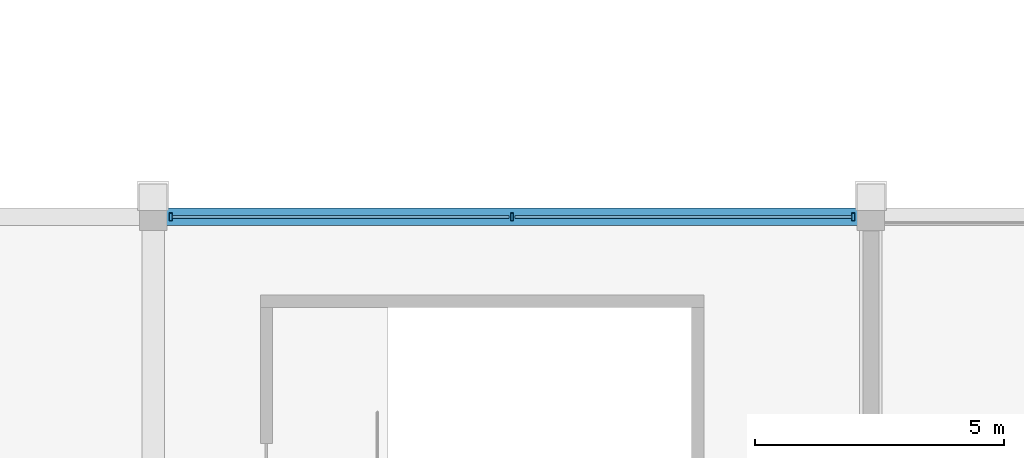
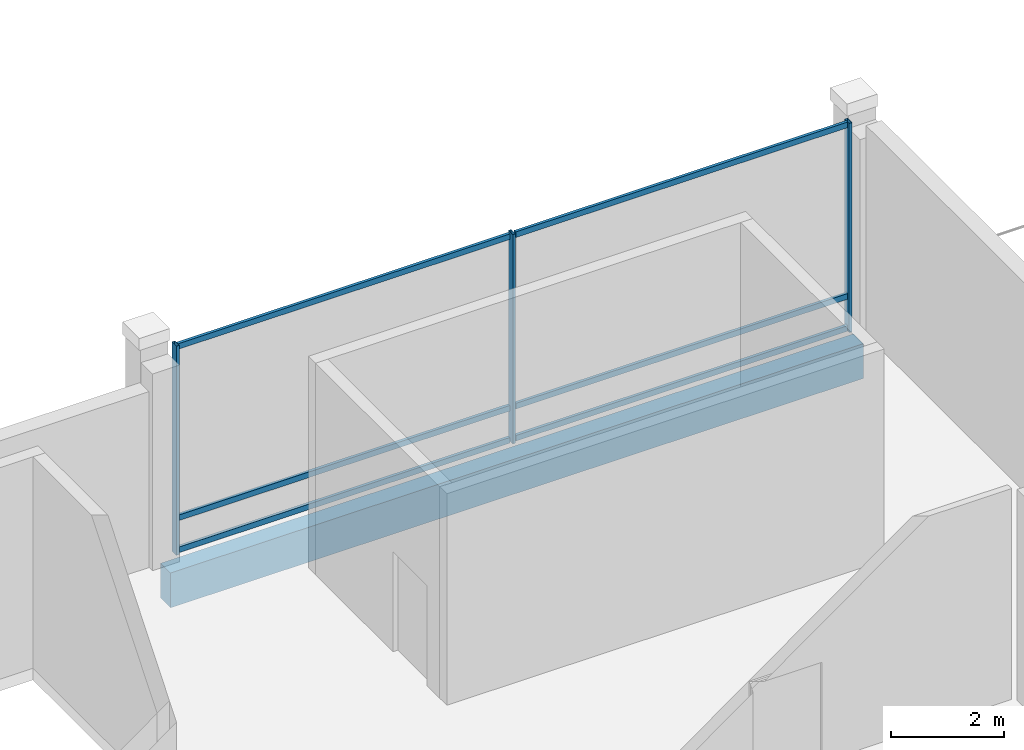
# One storey, part 21 of 116: 9 members, 1 beam, 1 element without a shape of its own.
"""IFC4 building model written with IfcOpenShell, lengths in metres."""

from ifc_helpers import new_model, si_unit, direction, frame, origin, origin_2d, place, context, subcontext, project, spatial, rectangle, hollow_rectangle, extrude, material, material_profile, profile_set, type_object, element, aggregate, save


model = new_model("IFC4")

# Units and contexts
model_context = context("Model", 3, precision=1e-05, world=origin(), true_north=direction((0.0, 1.0)))
body_context = subcontext(model_context, "Body", "Model", "MODEL_VIEW")
ifc_project = project(units=[si_unit("LENGTHUNIT", "METRE"), si_unit("AREAUNIT", "SQUARE_METRE"), si_unit("VOLUMEUNIT", "CUBIC_METRE"), si_unit("PLANEANGLEUNIT", "RADIAN"), si_unit("MASSUNIT", "GRAM", prefix="KILO")], contexts=[model_context])

# Site, building, storey
site_placement = place(None, origin())
site = spatial("IfcSite", under=ifc_project, at=site_placement, CompositionType="ELEMENT")
building_placement = place(site_placement, origin())
building = spatial("IfcBuilding", under=site, at=building_placement, Name="Cendralis Lancet Convention Centre", CompositionType="ELEMENT")
storey_placement = place(building_placement, frame((0.0, 0.0, 15.0)))
storey = spatial("IfcBuildingStorey", under=building, at=storey_placement, Name="L03", CompositionType="ELEMENT", Elevation=15.0)

# Curtain wall, members
ifc_material_1 = material(Name="Anodised bronze architectural aluminium", Category="aluminium")
curtain_wall_type = type_object("IfcCurtainWallType", Name="ARC-CW-CL02", PredefinedType="USERDEFINED", material=ifc_material_1)
curtain_wall_placement = place(storey_placement, origin())
curtain_wall = element("IfcCurtainWall", 1, at=curtain_wall_placement, inside=storey, type_object=curtain_wall_type, Name="L03 Curtain Wall CW-CL2 #178", ObjectType="CURTAIN WALL", PredefinedType="USERDEFINED")
ifc_material_profile_1 = material_profile(ifc_material_1, hollow_rectangle(XDim=0.06005859375, YDim=0.159912109375, WallThickness=0.00390625, at=origin_2d()), Name="AL-MULL 60x160x4.0")
ifc_profile_set_1 = profile_set([ifc_material_profile_1], Name="Anodised bronze architectural aluminium")
member_type_1 = type_object("IfcMemberType", Name="ARC-CW-ML01", PredefinedType="MULLION", material=ifc_profile_set_1)
member_1_placement = place(storey_placement, frame((93.955078125, 36.0, 0.0), z_axis=(0.0, 0.0, 1.0), x_axis=(1.0, 0.0, 0.0)))
member_1 = element("IfcMember", 2, at=member_1_placement, type_object=member_type_1, Name="Mullion CW2-CW-CL2-L03-178-M0", PredefinedType="MULLION", context=body_context, shape_type="SweptSolid", body=[
    extrude(hollow_rectangle(XDim=0.06005859375, YDim=0.159912109375, WallThickness=0.00390625, at=origin_2d()), origin(), (0.0, 0.0, 1.0), 4.5),
])
member_2_placement = place(storey_placement, frame((100.800048828125, 36.0, 0.0), z_axis=(0.0, 0.0, 1.0), x_axis=(1.0, 0.0, 0.0)))
member_2 = element("IfcMember", 3, at=member_2_placement, type_object=member_type_1, Name="Mullion CW2-CW-CL2-L03-178-M1", PredefinedType="MULLION", context=body_context, shape_type="SweptSolid", body=[
    extrude(hollow_rectangle(XDim=0.06005859375, YDim=0.159912109375, WallThickness=0.00390625, at=origin_2d()), origin(), (0.0, 0.0, 1.0), 4.5),
])
member_3_placement = place(storey_placement, frame((107.64501953125, 36.0, 0.0), z_axis=(0.0, 0.0, 1.0), x_axis=(1.0, 0.0, 0.0)))
member_3 = element("IfcMember", 4, at=member_3_placement, type_object=member_type_1, Name="Mullion CW2-CW-CL2-L03-178-M2", PredefinedType="MULLION", context=body_context, shape_type="SweptSolid", body=[
    extrude(hollow_rectangle(XDim=0.06005859375, YDim=0.159912109375, WallThickness=0.00390625, at=origin_2d()), origin(), (0.0, 0.0, 1.0), 4.5),
])
ifc_material_profile_2 = material_profile(ifc_material_1, hollow_rectangle(XDim=0.06005859375, YDim=0.1201171875, WallThickness=0.00390625, at=origin_2d()), Name="AL-TRAN 60x120x4.0")
ifc_profile_set_2 = profile_set([ifc_material_profile_2], Name="Anodised bronze architectural aluminium")
member_type_2 = type_object("IfcMemberType", Name="ARC-CW-TR01", PredefinedType="USERDEFINED", material=ifc_profile_set_2)
member_4_placement = place(storey_placement, frame((93.985107421875, 36.0, 0.06005859375), z_axis=(1.0, 0.0, 0.0), x_axis=(0.0, 1.0, 0.0)))
member_4 = element("IfcMember", 5, at=member_4_placement, type_object=member_type_2, Name="Transom CW2-CW-CL2-L03-178-T0BOT", ObjectType="TRANSOM", PredefinedType="USERDEFINED", context=body_context, shape_type="SweptSolid", body=[
    extrude(hollow_rectangle(XDim=0.06005859375, YDim=0.1201171875, WallThickness=0.00390625, at=origin_2d()), origin(), (0.0, 0.0, 1.0), 6.7548828125),
])
member_5_placement = place(storey_placement, frame((93.985107421875, 36.0, 0.75), z_axis=(1.0, 0.0, 0.0), x_axis=(0.0, 1.0, 0.0)))
member_5 = element("IfcMember", 6, at=member_5_placement, type_object=member_type_2, Name="Transom CW2-CW-CL2-L03-178-T0MID", ObjectType="TRANSOM", PredefinedType="USERDEFINED", context=body_context, shape_type="SweptSolid", body=[
    extrude(hollow_rectangle(XDim=0.06005859375, YDim=0.1201171875, WallThickness=0.00390625, at=origin_2d()), origin(), (0.0, 0.0, 1.0), 6.7548828125),
])
member_6_placement = place(storey_placement, frame((93.985107421875, 36.0, 4.43994140625), z_axis=(1.0, 0.0, 0.0), x_axis=(0.0, 1.0, 0.0)))
member_6 = element("IfcMember", 7, at=member_6_placement, type_object=member_type_2, Name="Transom CW2-CW-CL2-L03-178-T0TOP", ObjectType="TRANSOM", PredefinedType="USERDEFINED", context=body_context, shape_type="SweptSolid", body=[
    extrude(hollow_rectangle(XDim=0.06005859375, YDim=0.1201171875, WallThickness=0.00390625, at=origin_2d()), origin(), (0.0, 0.0, 1.0), 6.7548828125),
])
member_7_placement = place(storey_placement, frame((100.860107421875, 36.0, 0.06005859375), z_axis=(1.0, 0.0, 0.0), x_axis=(0.0, 1.0, 0.0)))
member_7 = element("IfcMember", 8, at=member_7_placement, type_object=member_type_2, Name="Transom CW2-CW-CL2-L03-178-T1BOT", ObjectType="TRANSOM", PredefinedType="USERDEFINED", context=body_context, shape_type="SweptSolid", body=[
    extrude(hollow_rectangle(XDim=0.06005859375, YDim=0.1201171875, WallThickness=0.00390625, at=origin_2d()), origin(), (0.0, 0.0, 1.0), 6.7548828125),
])
member_8_placement = place(storey_placement, frame((100.860107421875, 36.0, 0.75), z_axis=(1.0, 0.0, 0.0), x_axis=(0.0, 1.0, 0.0)))
member_8 = element("IfcMember", 9, at=member_8_placement, type_object=member_type_2, Name="Transom CW2-CW-CL2-L03-178-T1MID", ObjectType="TRANSOM", PredefinedType="USERDEFINED", context=body_context, shape_type="SweptSolid", body=[
    extrude(hollow_rectangle(XDim=0.06005859375, YDim=0.1201171875, WallThickness=0.00390625, at=origin_2d()), origin(), (0.0, 0.0, 1.0), 6.7548828125),
])
member_9_placement = place(storey_placement, frame((100.860107421875, 36.0, 4.43994140625), z_axis=(1.0, 0.0, 0.0), x_axis=(0.0, 1.0, 0.0)))
member_9 = element("IfcMember", 10, at=member_9_placement, type_object=member_type_2, Name="Transom CW2-CW-CL2-L03-178-T1TOP", ObjectType="TRANSOM", PredefinedType="USERDEFINED", context=body_context, shape_type="SweptSolid", body=[
    extrude(hollow_rectangle(XDim=0.06005859375, YDim=0.1201171875, WallThickness=0.00390625, at=origin_2d()), origin(), (0.0, 0.0, 1.0), 6.7548828125),
])
aggregate(curtain_wall, [member_1, member_2, member_3, member_4, member_5, member_6, member_7, member_8, member_9])

# Beam
ifc_material_2 = material(Name="Concrete G40 (C40/50)", Category="concrete")
ifc_material_profile_3 = material_profile(ifc_material_2, rectangle(XDim=0.35009765625, YDim=0.75, at=origin_2d()), Name="RCB 350x750")
ifc_profile_set_3 = profile_set([ifc_material_profile_3], Name="Concrete G40 (C40/50)")
beam_type = type_object("IfcBeamType", Name="STR-SP-SP01", PredefinedType="SPANDREL", material=ifc_profile_set_3)
beam_placement = place(storey_placement, frame((93.75, 36.0, -0.635009765625), z_axis=(1.0, 0.0, 0.0), x_axis=(0.0, 1.0, 0.0)))
element("IfcBeam", 11, at=beam_placement, inside=storey, type_object=beam_type, Name="L03 Beam SP01 #0929", PredefinedType="SPANDREL", context=body_context, shape_type="SweptSolid", body=[
    extrude(rectangle(XDim=0.35009765625, YDim=0.75, at=origin_2d()), origin(), (0.0, 0.0, 1.0), 14.10009765625),
])

save(model, "model.ifc")
